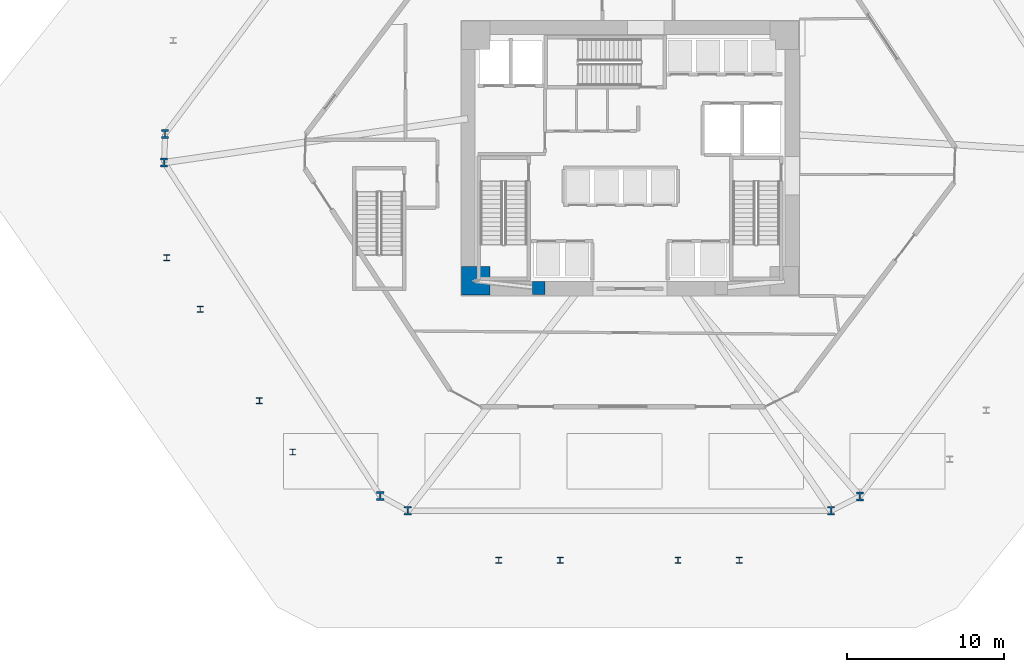
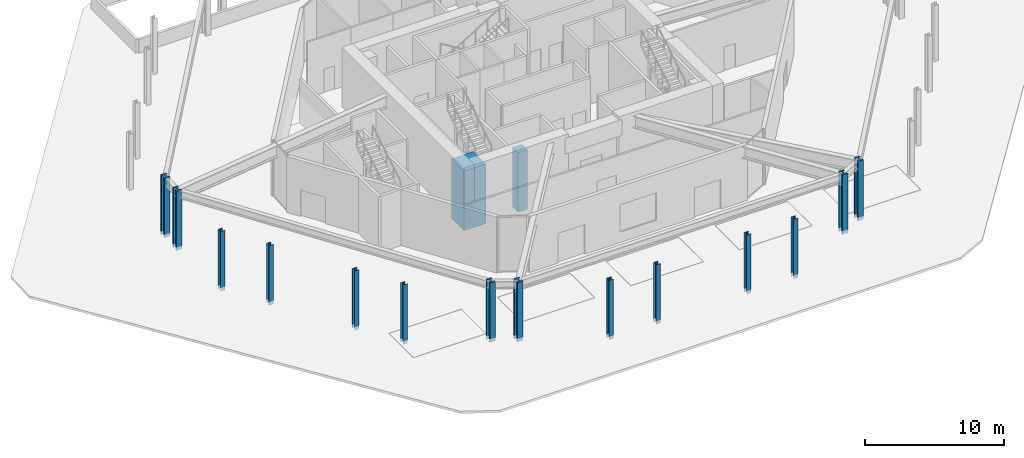
# One storey, part 1 of 18: 16 columns.
"""IFC4 building model written with IfcOpenShell, lengths in metres."""

from ifc_helpers import new_model, si_unit, direction, frame, origin, origin_2d, place, context, subcontext, project, spatial, rectangle, i_section, extrude, source, transform, mapped, material, material_profile, profile_set, type_object, type_shapes, element, save


model = new_model("IFC4")

# Units and contexts
model_context = context("Model", 3, precision=1e-05, world=origin(), true_north=direction((0.0, 1.0)))
body_context = subcontext(model_context, "Body", "Model", "MODEL_VIEW")
ifc_project = project(units=[si_unit("LENGTHUNIT", "METRE"), si_unit("AREAUNIT", "SQUARE_METRE"), si_unit("VOLUMEUNIT", "CUBIC_METRE"), si_unit("PLANEANGLEUNIT", "RADIAN"), si_unit("MASSUNIT", "GRAM", prefix="KILO")], contexts=[model_context])

# Site, building, storey
site_placement = place(None, origin())
site = spatial("IfcSite", under=ifc_project, at=site_placement, CompositionType="ELEMENT")
building_placement = place(site_placement, origin())
building = spatial("IfcBuilding", under=site, at=building_placement, Name="Durnholm Broadcast Tower", CompositionType="ELEMENT")
storey_placement = place(building_placement, origin())
storey = spatial("IfcBuildingStorey", under=building, at=storey_placement, Name="L00", CompositionType="ELEMENT", Elevation=0.0)

# Columns
ifc_material_1 = material(Name="Concrete C70/85", Category="concrete")
ifc_material_profile_1 = material_profile(ifc_material_1, rectangle(XDim=1.800048828125, YDim=1.800048828125, at=origin_2d()), Name="RC1800X1800")
ifc_profile_set_1 = profile_set([ifc_material_profile_1], Name="Concrete C70/85")
column_type_1 = type_object("IfcColumnType", Name="COL-CC-1800", PredefinedType="COLUMN", material=ifc_profile_set_1)
shared_shape_1 = source(origin(), body_context, "Body", "SweptSolid", [
    extrude(rectangle(XDim=1.800048828125, YDim=1.800048828125, at=origin_2d()), origin(), (0.0, 0.0, 1.0), 5.199951171875),
])
type_shapes(column_type_1, [shared_shape_1])
column_1_placement = place(storey_placement, frame((-9.800048828125, -7.800048828125, -0.300048828125), z_axis=(0.0, 0.0, 1.0), x_axis=(1.0, 0.0, 0.0)))
element("IfcColumn", 1, at=column_1_placement, inside=storey, type_object=column_type_1, Name="L00 core corner column 1", PredefinedType="COLUMN", context=body_context, shape_type="MappedRepresentation", body=[
    mapped(shared_shape_1, transform((0.0, 0.0, 0.0), x_axis=(1.0, 0.0, 0.0), y_axis=(0.0, 1.0, 0.0), z_axis=(0.0, 0.0, 1.0), scale=1.0)),
])
ifc_material_profile_2 = material_profile(ifc_material_1, rectangle(XDim=0.800048828125, YDim=0.800048828125, at=origin_2d()), Name="RC800X800")
ifc_profile_set_2 = profile_set([ifc_material_profile_2], Name="Concrete C70/85")
column_type_2 = type_object("IfcColumnType", Name="COL-CP-800", PredefinedType="PILASTER", material=ifc_profile_set_2)
shared_shape_2 = source(origin(), body_context, "Body", "SweptSolid", [
    extrude(rectangle(XDim=0.800048828125, YDim=0.800048828125, at=origin_2d()), origin(), (0.0, 0.0, 1.0), 5.199951171875),
])
type_shapes(column_type_2, [shared_shape_2])
column_2_placement = place(storey_placement, frame((-5.800048828125, -8.25, -0.300048828125), z_axis=(0.0, 0.0, 1.0), x_axis=(1.0, 0.0, 0.0)))
element("IfcColumn", 2, at=column_2_placement, inside=storey, type_object=column_type_2, Name="L00 core hall structural pilaster 1", PredefinedType="PILASTER", context=body_context, shape_type="MappedRepresentation", body=[
    mapped(shared_shape_2, transform((0.0, 0.0, 0.0), x_axis=(1.0, 0.0, 0.0), y_axis=(0.0, 1.0, 0.0), z_axis=(0.0, 0.0, 1.0), scale=1.0)),
])
ifc_material_2 = material(Name="Steel ASTM A913 Grade 65", Category="steel")
ifc_material_profile_3 = material_profile(ifc_material_2, i_section(OverallWidth=0.454345703125, OverallDepth=0.569091796875, WebThickness=0.077880859375, FlangeThickness=0.124755859375, FilletRadius=0.030517578125, at=origin_2d()), Name="W14X730")
ifc_profile_set_3 = profile_set([ifc_material_profile_3], Name="Steel ASTM A913 Grade 65")
column_type_3 = type_object("IfcColumnType", Name="STL-SC-W14X730", PredefinedType="COLUMN", material=ifc_profile_set_3)
shared_shape_3 = source(origin(), body_context, "Body", "SweptSolid", [
    extrude(i_section(OverallWidth=0.454345703125, OverallDepth=0.569091796875, WebThickness=0.077880859375, FlangeThickness=0.124755859375, FilletRadius=0.030517578125, at=origin_2d()), origin(), (0.0, 0.0, 1.0), 5.199951171875),
])
type_shapes(column_type_3, [shared_shape_3])
for number, where, z_axis, x_axis, name in (
    (3, (-15.866455078125, -21.45068359375, -0.300048828125), (0.0, 0.0, 1.0), (1.0, 0.0, 0.0), "L00 perimeter hexagonal tube column 01"),
    (4, (-29.590576171875, -0.28857421875, -0.300048828125), (0.0, 0.0, 1.0), (1.0, 0.0, 0.0), "L00 perimeter hexagonal tube column 02"),
    (5, (-29.529296875, 1.530517578125, -0.300048828125), (0.0, 0.0, 1.0), (1.0, 0.0, 0.0), "L00 perimeter hexagonal tube column 03"),
    (6, (14.594482421875, -21.487548828125, -0.300048828125), (0.0, 0.0, 1.0), (1.0, 0.0, 0.0), "L00 perimeter hexagonal tube column 10"),
    (7, (12.77197265625, -22.39990234375, -0.300048828125), (0.0, 0.0, 1.0), (1.0, 0.0, 0.0), "L00 perimeter hexagonal tube column 11"),
    (8, (-14.119384765625, -22.39990234375, -0.300048828125), (0.0, 0.0, 1.0), (1.0, 0.0, 0.0), "L00 perimeter hexagonal tube column 12"),
):
    element("IfcColumn", number, at=place(storey_placement, frame(where, z_axis=z_axis, x_axis=x_axis)), inside=storey, type_object=column_type_3, Name=name, PredefinedType="COLUMN", context=body_context, shape_type="MappedRepresentation", body=[
        mapped(shared_shape_3, transform((0.0, 0.0, 0.0), x_axis=(1.0, 0.0, 0.0), y_axis=(0.0, 1.0, 0.0), z_axis=(0.0, 0.0, 1.0), scale=1.0)),
    ])
ifc_material_3 = material(Name="Steel ASTM A992 Grade 50", Category="steel")
ifc_material_profile_4 = material_profile(ifc_material_3, i_section(OverallWidth=0.37255859375, OverallDepth=0.367919921875, WebThickness=0.014892578125, FlangeThickness=0.02392578125, FilletRadius=0.030517578125, at=origin_2d()), Name="W14X120")
ifc_profile_set_4 = profile_set([ifc_material_profile_4], Name="Steel ASTM A992 Grade 50")
column_type_4 = type_object("IfcColumnType", Name="STL-SC-W14X120", PredefinedType="COLUMN", material=ifc_profile_set_4)
shared_shape_4 = source(origin(), body_context, "Body", "SweptSolid", [
    extrude(i_section(OverallWidth=0.37255859375, OverallDepth=0.367919921875, WebThickness=0.014892578125, FlangeThickness=0.02392578125, FilletRadius=0.030517578125, at=origin_2d()), origin(), (0.0, 0.0, 1.0), 5.199951171875),
])
type_shapes(column_type_4, [shared_shape_4])
for number, where, z_axis, x_axis, name in (
    (9, (-8.3330078125, -25.550048828125, -0.300048828125), (0.0, 0.0, 1.0), (1.0, 0.0, 0.0), "L00 stand-off exoskeleton pilotis column F1.1"),
    (10, (-4.444580078125, -25.550048828125, -0.300048828125), (0.0, 0.0, 1.0), (1.0, 0.0, 0.0), "L00 stand-off exoskeleton pilotis column F1.2"),
    (11, (3.041259765625, -25.550048828125, -0.300048828125), (0.0, 0.0, 1.0), (1.0, 0.0, 0.0), "L00 stand-off exoskeleton pilotis column F1.3"),
    (12, (6.9296875, -25.550048828125, -0.300048828125), (0.0, 0.0, 1.0), (1.0, 0.0, 0.0), "L00 stand-off exoskeleton pilotis column F1.4"),
    (13, (-29.42041015625, -6.340087890625, -0.300048828125), (0.0, 0.0, 1.0), (1.0, 0.0, 0.0), "L00 stand-off exoskeleton pilotis column F6.1"),
    (14, (-27.3046875, -9.6025390625, -0.300048828125), (0.0, 0.0, 1.0), (1.0, 0.0, 0.0), "L00 stand-off exoskeleton pilotis column F6.2"),
    (15, (-23.541015625, -15.40576171875, -0.300048828125), (0.0, 0.0, 1.0), (1.0, 0.0, 0.0), "L00 stand-off exoskeleton pilotis column F6.3"),
    (16, (-21.42529296875, -18.668212890625, -0.300048828125), (0.0, 0.0, 1.0), (1.0, 0.0, 0.0), "L00 stand-off exoskeleton pilotis column F6.4"),
):
    element("IfcColumn", number, at=place(storey_placement, frame(where, z_axis=z_axis, x_axis=x_axis)), inside=storey, type_object=column_type_4, Name=name, PredefinedType="COLUMN", context=body_context, shape_type="MappedRepresentation", body=[
        mapped(shared_shape_4, transform((0.0, 0.0, 0.0), x_axis=(1.0, 0.0, 0.0), y_axis=(0.0, 1.0, 0.0), z_axis=(0.0, 0.0, 1.0), scale=1.0)),
    ])

save(model, "model.ifc")
